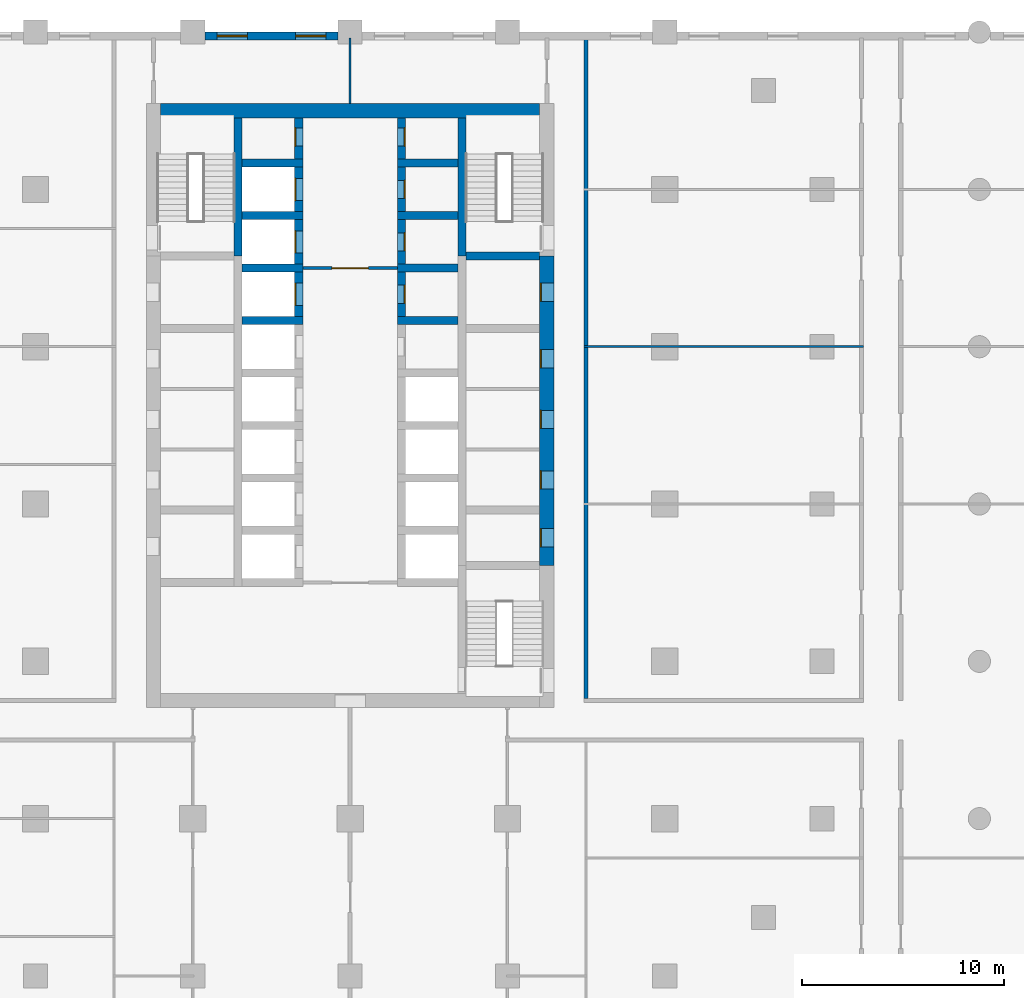
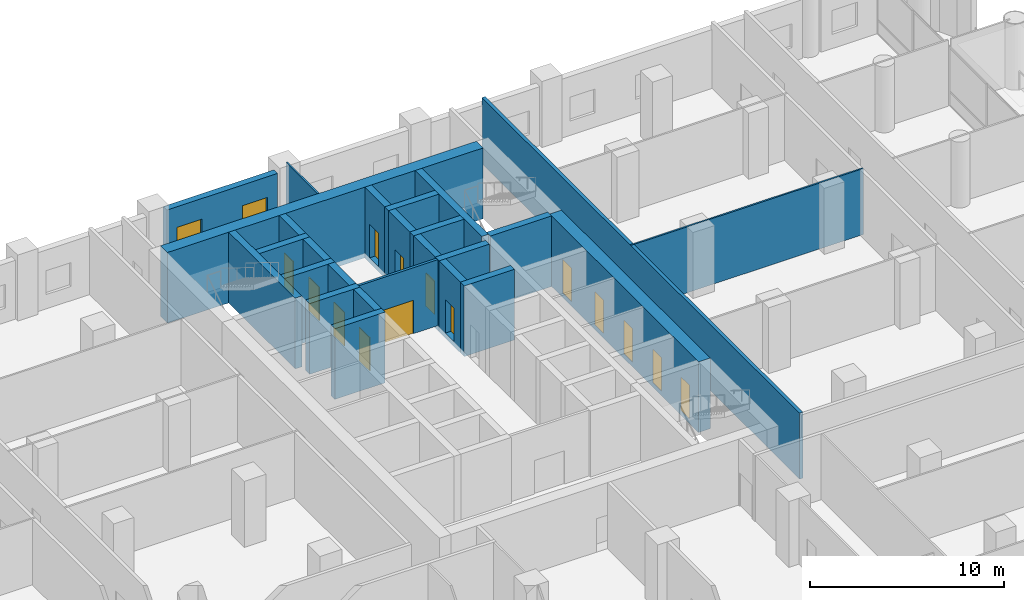
# One storey, part 13 of 23: 26 walls, 14 doors, 2 windows, 16 openings.
"""IFC4 building model written with IfcOpenShell, lengths in metres."""

import ifcopenshell
import ifcopenshell.guid

model = None  # the IFC model being written
_history = None  # IfcOwnerHistory: only IFC2X3 demands one
_inside = {}  # id of a spatial element -> (the spatial element, [elements in it])
_under = {}  # id of a project, library or spatial element -> (it, [spatial elements below it])
_declared = {}  # id of a project -> (the project, [libraries it declares])
_typed = {}  # id of a type object -> (the type object, [elements of that type])
_made_of = {}  # id of a material, layer set ... -> (it, [elements and type objects made of it])


def new_model(schema):
    """Start an empty IFC model of exactly this schema.

    Asked for "IFC4X3", IfcOpenShell would pick the latest addendum, in which some entities
    have other attributes; the version numbers below select the first issue.
    IFC2X3 requires an IfcOwnerHistory on every rooted entity: one is made here for all.
    """
    global model, _history
    if schema == "IFC4X3":
        model = ifcopenshell.file(schema_version=(4, 3, 0, 0))
    else:
        model = ifcopenshell.file(schema=schema)
    _inside.clear()
    _under.clear()
    _declared.clear()
    _typed.clear()
    _made_of.clear()
    _history = None
    if model.schema == "IFC2X3":
        org = make("IfcOrganization", Name="unknown")
        user = make(
            "IfcPersonAndOrganization",
            ThePerson=make("IfcPerson", FamilyName="unknown"),
            TheOrganization=org,
        )
        app = make(
            "IfcApplication",
            ApplicationDeveloper=org,
            Version="unknown",
            ApplicationFullName="unknown",
            ApplicationIdentifier="unknown",
        )
        _history = make(
            "IfcOwnerHistory",
            OwningUser=user,
            OwningApplication=app,
            ChangeAction="ADDED",
            CreationDate=0,
        )
    return model


def make(cls, **values):
    """One entity of the class cls with the attributes given. An attribute that is None is left unset."""
    return model.create_entity(
        cls, **{name: value for name, value in values.items() if value is not None}
    )


def rooted(cls, **values):
    """An entity with a GlobalId (a new one), such as an element, a storey or a relation."""
    return make(cls, GlobalId=ifcopenshell.guid.new(), OwnerHistory=_history, **values)


def si_unit(unit_type, name, prefix=None):
    """IfcSIUnit, for example si_unit("LENGTHUNIT", "METRE", prefix="MILLI")."""
    return make("IfcSIUnit", UnitType=unit_type, Prefix=prefix, Name=name)


def assignment(units):
    """IfcUnitAssignment: the units of a project."""
    return None if units is None else make("IfcUnitAssignment", Units=units)


def point(xyz):
    """IfcCartesianPoint."""
    return None if xyz is None else make("IfcCartesianPoint", Coordinates=xyz)


def direction(xyz):
    """IfcDirection."""
    return None if xyz is None else make("IfcDirection", DirectionRatios=xyz)


def frame(location, z_axis=None, x_axis=None):
    """IfcAxis2Placement3D, a coordinate frame: its origin and axes. An axis left out is left unset."""
    return make(
        "IfcAxis2Placement3D",
        Location=point(location),
        Axis=direction(z_axis),
        RefDirection=direction(x_axis),
    )


def frame_2d(location, x_axis=None):
    """IfcAxis2Placement2D, a coordinate frame in the plane: its origin and x axis."""
    return make(
        "IfcAxis2Placement2D", Location=point(location), RefDirection=direction(x_axis)
    )


def origin():
    """The frame at (0, 0, 0) with its axes left unset."""
    return frame((0.0, 0.0, 0.0))


def place(relative_to, where):
    """IfcLocalPlacement: puts the frame where relative to a parent placement (None: the world)."""
    return make(
        "IfcLocalPlacement", PlacementRelTo=relative_to, RelativePlacement=where
    )


def context(
    kind, dimensions, precision=None, world=None, true_north=None, identifier=None
):
    """IfcGeometricRepresentationContext, for example the 3D "Model" context."""
    return make(
        "IfcGeometricRepresentationContext",
        ContextIdentifier=identifier,
        ContextType=kind,
        CoordinateSpaceDimension=dimensions,
        Precision=precision,
        WorldCoordinateSystem=world,
        TrueNorth=true_north,
    )


def subcontext(parent, identifier, kind, view, scale=None):
    """IfcGeometricRepresentationSubContext, for example "Body" below "Model"."""
    return make(
        "IfcGeometricRepresentationSubContext",
        ContextIdentifier=identifier,
        ContextType=kind,
        ParentContext=parent,
        TargetScale=scale,
        TargetView=view,
    )


def project(units=None, contexts=None):
    """IfcProject with its units and contexts."""
    return rooted(
        "IfcProject",
        Name="project",
        RepresentationContexts=contexts,
        UnitsInContext=assignment(units),
    )


def spatial(cls, under=None, at=None, **own):
    """A site, building, storey or space (cls), placed at a placement, below another one or the project."""
    s = rooted(cls, ObjectPlacement=at, **own)
    if under is not None:
        _under.setdefault(under.id(), (under, []))[1].append(s)
    return s


def profile(cls, at=None, kind="AREA", **sizes):
    """A parametric profile (cls). Its sizes go by their IFC names, for example OverallWidth=200.0."""
    return make(cls, ProfileType=kind, Position=at, **sizes)


def rectangle(**sizes):
    """IfcRectangleProfileDef."""
    return profile("IfcRectangleProfileDef", **sizes)


def extrude(swept, where, along, depth):
    """IfcExtrudedAreaSolid: the profile swept, set in the frame where, extruded along a direction by depth."""
    return make(
        "IfcExtrudedAreaSolid",
        SweptArea=swept,
        Position=where,
        ExtrudedDirection=direction(along),
        Depth=depth,
    )


def shape(context_of_items, identifier, shape_type, items):
    """IfcShapeRepresentation: the items that make up one representation, for example the "Body"."""
    return make(
        "IfcShapeRepresentation",
        ContextOfItems=context_of_items,
        RepresentationIdentifier=identifier,
        RepresentationType=shape_type,
        Items=items,
    )


def material(Name=None, Category=None):
    """IfcMaterial."""
    return make("IfcMaterial", Name=Name, Category=Category)


def layer(
    of_material, thickness, ventilated=None, Name=None, Category=None, Priority=None
):
    """IfcMaterialLayer: one layer of a wall or slab, of a material (None: an air gap)."""
    return make(
        "IfcMaterialLayer",
        Material=of_material,
        LayerThickness=thickness,
        IsVentilated=ventilated,
        Name=Name,
        Category=Category,
        Priority=Priority,
    )


def layer_set(layers, Name=None):
    """IfcMaterialLayerSet."""
    return make("IfcMaterialLayerSet", MaterialLayers=layers, LayerSetName=Name)


def made_of(thing, what):
    """Note that an element or type object is made of a material, layer set ...; save() writes the relation."""
    if what is not None:
        _made_of.setdefault(what.id(), (what, []))[1].append(thing)
    return thing


def type_object(cls, material=None, **own):
    """A type object (cls), such as IfcWallType, which elements share."""
    return made_of(rooted(cls, **own), material)


def element(
    cls,
    number,
    at=None,
    inside=None,
    cuts=None,
    type_object=None,
    material=None,
    context=None,
    identifier="Body",
    shape_type=None,
    held_by="IfcProductDefinitionShape",
    body=None,
    shapes=None,
    **own,
):
    """One element of the class cls, such as IfcWall. Its Tag is "e" and its number.

    at: its placement. inside: the storey or other place that contains it. cuts: it is an
    opening in that element (IfcRelVoidsElement). A single representation is given by context,
    identifier, shape_type and body (its items); several are given by shapes. held_by: the class
    of the entity that holds the representations. save() writes the other relations.
    """
    e = rooted(cls, Tag="e%d" % number, ObjectPlacement=at, **own)
    if body is not None:
        shapes = [shape(context, identifier, shape_type, body)]
    if shapes is not None:
        e.Representation = make(held_by, Representations=shapes)
    if inside is not None:
        _inside.setdefault(inside.id(), (inside, []))[1].append(e)
    if cuts is not None:
        rooted(
            "IfcRelVoidsElement", RelatingBuildingElement=cuts, RelatedOpeningElement=e
        )
    if type_object is not None:
        _typed.setdefault(type_object.id(), (type_object, []))[1].append(e)
    return made_of(e, material)


def fill(opening, filler):
    """IfcRelFillsElement: the door or window that sits in an opening."""
    return rooted(
        "IfcRelFillsElement",
        RelatingOpeningElement=opening,
        RelatedBuildingElement=filler,
    )


def aggregate(whole, parts):
    """IfcRelAggregates: a whole, such as a stair, and the parts it consists of."""
    return rooted("IfcRelAggregates", RelatingObject=whole, RelatedObjects=parts)


def save(model, path):
    """Write the relations noted so far, then the file.

    IfcRelAggregates (storeys below a building ...), IfcRelContainedInSpatialStructure (elements
    in a storey), IfcRelDefinesByType, IfcRelAssociatesMaterial and IfcRelDeclares: one each for
    every whole, place, type object, material and project.
    """
    for whole, parts in _under.values():
        aggregate(whole, parts)
    for where, things in _inside.values():
        rooted(
            "IfcRelContainedInSpatialStructure",
            RelatedElements=things,
            RelatingStructure=where,
        )
    for kind, things in _typed.values():
        rooted("IfcRelDefinesByType", RelatedObjects=things, RelatingType=kind)
    for what, things in _made_of.values():
        rooted("IfcRelAssociatesMaterial", RelatedObjects=things, RelatingMaterial=what)
    for by, libraries in _declared.values():
        rooted("IfcRelDeclares", RelatingContext=by, RelatedDefinitions=libraries)
    model.write(path)


model = new_model("IFC4")

# Units and contexts
model_context = context("Model", 3, precision=1e-05, world=origin(), true_north=direction((0.0, 1.0)))
body_context = subcontext(model_context, "Body", "Model", "MODEL_VIEW")
ifc_project = project(units=[si_unit("LENGTHUNIT", "METRE"), si_unit("AREAUNIT", "SQUARE_METRE"), si_unit("VOLUMEUNIT", "CUBIC_METRE"), si_unit("PLANEANGLEUNIT", "RADIAN"), si_unit("MASSUNIT", "GRAM", prefix="KILO")], contexts=[model_context])

# Site, building, storey
site_placement = place(None, origin())
site = spatial("IfcSite", under=ifc_project, at=site_placement, CompositionType="ELEMENT")
building_placement = place(site_placement, origin())
building = spatial("IfcBuilding", under=site, at=building_placement, Name="Ludao Terraces", CompositionType="ELEMENT")
storey_placement = place(building_placement, frame((0.0, 0.0, 10.5)))
storey = spatial("IfcBuildingStorey", under=building, at=storey_placement, Name="L02", CompositionType="ELEMENT", Elevation=10.5)

# Wall, openings, doors
ifc_material_1 = material(Name="Concrete C70", Category="concrete")
ifc_layer_1 = layer(ifc_material_1, 0.699951171875)
ifc_layer_set_1 = layer_set([ifc_layer_1], Name="Core wall 700 C70")
wall_type_1 = type_object("IfcWallType", Name="Core wall 700 C70", PredefinedType="SOLIDWALL", material=ifc_layer_set_1)
wall_1_placement = place(storey_placement, frame((94.75, 61.949951171875, -0.300048828125), z_axis=(0.0, 0.0, 1.0), x_axis=(0.0, 1.0, 0.0)))
wall_1 = element("IfcWall", 1, at=wall_1_placement, inside=storey, type_object=wall_type_1, Name="Core wall L02 outer-E", PredefinedType="SOLIDWALL", context=body_context, shape_type="SweptSolid", body=[
    extrude(rectangle(XDim=15.35009765625, YDim=0.699951171875, at=frame_2d((7.675048828125, 0.0))), origin(), (0.0, 0.0, 1.0), 4.449951171875),
])
opening_1_placement = place(wall_1_placement, frame((0.925048828125, 0.0, 0.300048828125)))
opening_1 = element("IfcOpeningElement", 2, at=opening_1_placement, cuts=wall_1, Name="Opening L02-037", PredefinedType="OPENING", context=body_context, shape_type="SweptSolid", body=[
    extrude(rectangle(XDim=0.89990234375, YDim=2.10009765625, at=frame_2d((0.449951171875, 1.050048828125))), frame((0.0, 0.35986328125, 0.0), z_axis=(0.0, -1.0, 0.0), x_axis=(1.0, 0.0, 0.0)), (0.0, 0.0, 1.0), 0.719970703125),
])
opening_2_placement = place(wall_1_placement, frame((3.800048828125, 0.0, 0.300048828125)))
opening_2 = element("IfcOpeningElement", 3, at=opening_2_placement, cuts=wall_1, Name="Opening L02-040", PredefinedType="OPENING", context=body_context, shape_type="SweptSolid", body=[
    extrude(rectangle(XDim=0.89990234375, YDim=2.10009765625, at=frame_2d((0.449951171875, 1.050048828125))), frame((0.0, 0.35986328125, 0.0), z_axis=(0.0, -1.0, 0.0), x_axis=(1.0, 0.0, 0.0)), (0.0, 0.0, 1.0), 0.719970703125),
])
opening_3_placement = place(wall_1_placement, frame((6.800048828125, 0.0, 0.300048828125)))
opening_3 = element("IfcOpeningElement", 4, at=opening_3_placement, cuts=wall_1, Name="Opening L02-045", PredefinedType="OPENING", context=body_context, shape_type="SweptSolid", body=[
    extrude(rectangle(XDim=0.89990234375, YDim=2.10009765625, at=frame_2d((0.449951171875, 1.050048828125))), frame((0.0, 0.35986328125, 0.0), z_axis=(0.0, -1.0, 0.0), x_axis=(1.0, 0.0, 0.0)), (0.0, 0.0, 1.0), 0.719970703125),
])
opening_4_placement = place(wall_1_placement, frame((9.800048828125, 0.0, 0.300048828125)))
opening_4 = element("IfcOpeningElement", 5, at=opening_4_placement, cuts=wall_1, Name="Opening L02-050", PredefinedType="OPENING", context=body_context, shape_type="SweptSolid", body=[
    extrude(rectangle(XDim=0.89990234375, YDim=2.10009765625, at=frame_2d((0.449951171875, 1.050048828125))), frame((0.0, 0.35986328125, 0.0), z_axis=(0.0, -1.0, 0.0), x_axis=(1.0, 0.0, 0.0)), (0.0, 0.0, 1.0), 0.719970703125),
])
opening_5_placement = place(wall_1_placement, frame((13.10009765625, 0.0, 0.300048828125)))
opening_5 = element("IfcOpeningElement", 6, at=opening_5_placement, cuts=wall_1, Name="Opening L02-056", PredefinedType="OPENING", context=body_context, shape_type="SweptSolid", body=[
    extrude(rectangle(XDim=0.89990234375, YDim=2.10009765625, at=frame_2d((0.449951171875, 1.050048828125))), frame((0.0, 0.35986328125, 0.0), z_axis=(0.0, -1.0, 0.0), x_axis=(1.0, 0.0, 0.0)), (0.0, 0.0, 1.0), 0.719970703125),
])
ifc_material_2 = material(Name="Steel Q235", Category="steel")
door_type_1 = type_object("IfcDoorType", Name="INT Riser door 900", OperationType="SINGLE_SWING_LEFT", PredefinedType="DOOR", material=ifc_material_2)
door_1_placement = place(opening_1_placement, origin())
door_1 = element("IfcDoor", 7, at=door_1_placement, inside=storey, type_object=door_type_1, Name="DOOR 037", OperationType="SINGLE_SWING_LEFT", OverallHeight=2.10009765625, OverallWidth=0.89990234375, PredefinedType="DOOR", context=body_context, shape_type="SweptSolid", body=[
    extrude(rectangle(XDim=0.89990234375, YDim=2.10009765625, at=frame_2d((0.449951171875, 1.050048828125))), frame((0.0, 0.3349609375, 0.0), z_axis=(0.0, -1.0, 0.0), x_axis=(1.0, 0.0, 0.0)), (0.0, 0.0, 1.0), 0.050048828125),
])
fill(opening_1, door_1)
door_2_placement = place(opening_5_placement, origin())
door_2 = element("IfcDoor", 8, at=door_2_placement, inside=storey, type_object=door_type_1, Name="DOOR 056", OperationType="SINGLE_SWING_LEFT", OverallHeight=2.10009765625, OverallWidth=0.89990234375, PredefinedType="DOOR", context=body_context, shape_type="SweptSolid", body=[
    extrude(rectangle(XDim=0.89990234375, YDim=2.10009765625, at=frame_2d((0.449951171875, 1.050048828125))), frame((0.0, 0.3349609375, 0.0), z_axis=(0.0, -1.0, 0.0), x_axis=(1.0, 0.0, 0.0)), (0.0, 0.0, 1.0), 0.050048828125),
])
fill(opening_5, door_2)
ifc_material_3 = material(Name="Timber door leaf", Category="wood")
door_type_2 = type_object("IfcDoorType", Name="INT Room door 900", OperationType="SINGLE_SWING_LEFT", PredefinedType="DOOR", material=ifc_material_3)
door_3_placement = place(opening_2_placement, origin())
door_3 = element("IfcDoor", 9, at=door_3_placement, inside=storey, type_object=door_type_2, Name="DOOR 040", OperationType="SINGLE_SWING_LEFT", OverallHeight=2.10009765625, OverallWidth=0.89990234375, PredefinedType="DOOR", context=body_context, shape_type="SweptSolid", body=[
    extrude(rectangle(XDim=0.89990234375, YDim=2.10009765625, at=frame_2d((0.449951171875, 1.050048828125))), frame((0.0, 0.3349609375, 0.0), z_axis=(0.0, -1.0, 0.0), x_axis=(1.0, 0.0, 0.0)), (0.0, 0.0, 1.0), 0.050048828125),
])
fill(opening_2, door_3)
door_4_placement = place(opening_3_placement, origin())
door_4 = element("IfcDoor", 10, at=door_4_placement, inside=storey, type_object=door_type_2, Name="DOOR 045", OperationType="SINGLE_SWING_RIGHT", OverallHeight=2.10009765625, OverallWidth=0.89990234375, PredefinedType="DOOR", context=body_context, shape_type="SweptSolid", body=[
    extrude(rectangle(XDim=0.89990234375, YDim=2.10009765625, at=frame_2d((0.449951171875, 1.050048828125))), frame((0.0, 0.3349609375, 0.0), z_axis=(0.0, -1.0, 0.0), x_axis=(1.0, 0.0, 0.0)), (0.0, 0.0, 1.0), 0.050048828125),
])
fill(opening_3, door_4)
door_5_placement = place(opening_4_placement, origin())
door_5 = element("IfcDoor", 11, at=door_5_placement, inside=storey, type_object=door_type_2, Name="DOOR 050", OperationType="SINGLE_SWING_RIGHT", OverallHeight=2.10009765625, OverallWidth=0.89990234375, PredefinedType="DOOR", context=body_context, shape_type="SweptSolid", body=[
    extrude(rectangle(XDim=0.89990234375, YDim=2.10009765625, at=frame_2d((0.449951171875, 1.050048828125))), frame((0.0, 0.3349609375, 0.0), z_axis=(0.0, -1.0, 0.0), x_axis=(1.0, 0.0, 0.0)), (0.0, 0.0, 1.0), 0.050048828125),
])
fill(opening_4, door_5)

# Wall
wall_2_placement = place(storey_placement, frame((75.60009765625, 84.5, -0.300048828125), z_axis=(0.0, 0.0, 1.0), x_axis=(1.0, 0.0, 0.0)))
element("IfcWall", 12, at=wall_2_placement, inside=storey, type_object=wall_type_1, Name="Core wall L02 outer-N", PredefinedType="SOLIDWALL", context=body_context, shape_type="SweptSolid", body=[
    extrude(rectangle(XDim=18.7998046875, YDim=0.699951171875, at=frame_2d((9.39990234375, 0.0))), origin(), (0.0, 0.0, 1.0), 4.449951171875),
])

# Wall, openings, windows
ifc_material_4 = material(Name="Granite cladding", Category="masonry")
ifc_layer_2 = layer(ifc_material_4, 0.06005859375, Category="stone")
ifc_material_5 = material(Name="Mineral wool")
ifc_layer_3 = layer(ifc_material_5, 0.06005859375)
ifc_material_6 = material(Name="Concrete C40", Category="concrete")
ifc_layer_4 = layer(ifc_material_6, 0.260009765625, Category="concrete")
ifc_layer_set_2 = layer_set([ifc_layer_2, ifc_layer_3, ifc_layer_4], Name="ENV Stone-clad wall 380")
wall_type_2 = type_object("IfcWallType", Name="ENV Stone-clad wall 380", PredefinedType="SOLIDWALL", material=ifc_layer_set_2)
wall_3_placement = place(storey_placement, frame((77.800048828125, 88.2099609375, 0.0), z_axis=(0.0, 0.0, 1.0), x_axis=(1.0, 0.0, 0.0)))
wall_3 = element("IfcWall", 13, at=wall_3_placement, inside=storey, type_object=wall_type_2, Name="EW-L02-N4", PredefinedType="SOLIDWALL", context=body_context, shape_type="SweptSolid", body=[
    extrude(rectangle(XDim=6.599853515625, YDim=0.3798828125, at=frame_2d((3.2998046875, 0.0))), origin(), (0.0, 0.0, 1.0), 3.699951171875),
])
opening_6_placement = place(wall_3_placement, frame((0.60009765625, 0.0, 0.89990234375)))
opening_6 = element("IfcOpeningElement", 14, at=opening_6_placement, cuts=wall_3, Name="Opening W5", PredefinedType="OPENING", context=body_context, shape_type="SweptSolid", body=[
    extrude(rectangle(XDim=1.5, YDim=1.5, at=frame_2d((0.75, 0.75))), frame((0.0, 0.199951171875, 0.0), z_axis=(0.0, -1.0, 0.0), x_axis=(1.0, 0.0, 0.0)), (0.0, 0.0, 1.0), 0.39990234375),
])
opening_7_placement = place(wall_3_placement, frame((4.5, 0.0, 0.89990234375)))
opening_7 = element("IfcOpeningElement", 15, at=opening_7_placement, cuts=wall_3, Name="Opening W5", PredefinedType="OPENING", context=body_context, shape_type="SweptSolid", body=[
    extrude(rectangle(XDim=1.5, YDim=1.5, at=frame_2d((0.75, 0.75))), frame((0.0, 0.199951171875, 0.0), z_axis=(0.0, -1.0, 0.0), x_axis=(1.0, 0.0, 0.0)), (0.0, 0.0, 1.0), 0.39990234375),
])
ifc_material_7 = material(Name="Clear glass in aluminium frame", Category="aluminium")
ifc_layer_5 = layer(ifc_material_7, 0.06005859375)
ifc_layer_set_3 = layer_set([ifc_layer_5], Name="ENV Window W5 1500x1500")
window_type = type_object("IfcWindowType", Name="ENV Window W5 1500x1500", PartitioningType="SINGLE_PANEL", PredefinedType="WINDOW", material=ifc_layer_set_3)
window_1_placement = place(opening_6_placement, origin())
window_1 = element("IfcWindow", 16, at=window_1_placement, inside=storey, type_object=window_type, Name="W-L02-N4-1", OverallHeight=1.5, OverallWidth=1.5, PartitioningType="SINGLE_PANEL", PredefinedType="WINDOW", context=body_context, shape_type="SweptSolid", body=[
    extrude(rectangle(XDim=1.5, YDim=1.5, at=frame_2d((0.75, 0.75))), frame((0.0, 0.030029296875, 0.0), z_axis=(0.0, -1.0, 0.0), x_axis=(1.0, 0.0, 0.0)), (0.0, 0.0, 1.0), 0.06005859375),
])
fill(opening_6, window_1)
window_2_placement = place(opening_7_placement, origin())
window_2 = element("IfcWindow", 17, at=window_2_placement, inside=storey, type_object=window_type, Name="W-L02-N4-2", OverallHeight=1.5, OverallWidth=1.5, PartitioningType="SINGLE_PANEL", PredefinedType="WINDOW", context=body_context, shape_type="SweptSolid", body=[
    extrude(rectangle(XDim=1.5, YDim=1.5, at=frame_2d((0.75, 0.75))), frame((0.0, 0.030029296875, 0.0), z_axis=(0.0, -1.0, 0.0), x_axis=(1.0, 0.0, 0.0)), (0.0, 0.0, 1.0), 0.06005859375),
])
fill(opening_7, window_2)

# Wall, opening, door
ifc_material_8 = material(Name="Fire-rated gypsum plasterboard", Category="gypsum")
ifc_layer_6 = layer(ifc_material_8, 0.012451171875, Category="gypsum")
ifc_layer_7 = layer(ifc_material_5, 0.10009765625, Name="insulation")
ifc_layer_8 = layer(ifc_material_2, 0.02490234375, Name="stud")
ifc_layer_9 = layer(ifc_material_8, 0.012451171875, Category="gypsum")
ifc_layer_set_4 = layer_set([ifc_layer_6, ifc_layer_7, ifc_layer_8, ifc_layer_9], Name="INT Core partition 150")
wall_type_3 = type_object("IfcWallType", Name="INT Core partition 150", PredefinedType="PARTITIONING", material=ifc_layer_set_4)
wall_4_placement = place(storey_placement, frame((82.650146484375, 76.699951171875, 0.0), z_axis=(0.0, 0.0, 1.0), x_axis=(1.0, 0.0, 0.0)))
wall_4 = element("IfcWall", 18, at=wall_4_placement, inside=storey, type_object=wall_type_3, Name="PW-L02-PW042", PredefinedType="PARTITIONING", context=body_context, shape_type="SweptSolid", body=[
    extrude(rectangle(XDim=4.699951171875, YDim=0.14990234375, at=frame_2d((2.35009765625, 0.0))), origin(), (0.0, 0.0, 1.0), 4.14990234375),
])
opening_8_placement = place(wall_4_placement, frame((1.449951171875, 0.0, 0.0)))
opening_8 = element("IfcOpeningElement", 19, at=opening_8_placement, cuts=wall_4, Name="Opening L02-059", PredefinedType="OPENING", context=body_context, shape_type="SweptSolid", body=[
    extrude(rectangle(XDim=1.800048828125, YDim=2.10009765625, at=frame_2d((0.89990234375, 1.050048828125))), frame((0.0, 0.0849609375, 0.0), z_axis=(0.0, -1.0, 0.0), x_axis=(1.0, 0.0, 0.0)), (0.0, 0.0, 1.0), 0.169921875),
])
door_type_3 = type_object("IfcDoorType", Name="INT Fire lobby door 1800", OperationType="DOUBLE_DOOR_SINGLE_SWING", PredefinedType="DOOR", material=ifc_material_2)
door_6_placement = place(opening_8_placement, origin())
door_6 = element("IfcDoor", 20, at=door_6_placement, inside=storey, type_object=door_type_3, Name="DOOR 059", OperationType="DOUBLE_DOOR_SINGLE_SWING", OverallHeight=2.10009765625, OverallWidth=1.800048828125, PredefinedType="DOOR", context=body_context, shape_type="SweptSolid", body=[
    extrude(rectangle(XDim=1.800048828125, YDim=2.10009765625, at=frame_2d((0.89990234375, 1.050048828125))), frame((0.0, 0.02490234375, 0.0), z_axis=(0.0, -1.0, 0.0), x_axis=(1.0, 0.0, 0.0)), (0.0, 0.0, 1.0), 0.050048828125),
])
fill(opening_8, door_6)

# Walls
ifc_material_9 = material(Name="Autoclaved aerated concrete block B06 A3.5", Category="concrete")
ifc_layer_10 = layer(ifc_material_9, 0.199951171875)
ifc_layer_set_5 = layer_set([ifc_layer_10], Name="INT Entrance wall 200")
wall_type_4 = type_object("IfcWallType", Name="INT Entrance wall 200", PredefinedType="PARTITIONING", material=ifc_layer_set_5)
wall_5_placement = place(storey_placement, frame((96.699951171875, 55.35009765625, 0.0), z_axis=(0.0, 0.0, 1.0), x_axis=(0.0, 1.0, 0.0)))
element("IfcWall", 21, at=wall_5_placement, inside=storey, type_object=wall_type_4, Name="PW-L02-PW069", PredefinedType="PARTITIONING", context=body_context, shape_type="SweptSolid", body=[
    extrude(rectangle(XDim=32.75, YDim=0.199951171875, at=frame_2d((16.375, 0.0))), origin(), (0.0, 0.0, 1.0), 4.14990234375),
])
ifc_material_10 = material(Name="Gypsum plasterboard", Category="gypsum")
ifc_layer_11 = layer(ifc_material_10, 0.012451171875, Category="gypsum")
ifc_layer_12 = layer(ifc_material_5, 0.06005859375, Name="insulation")
ifc_layer_13 = layer(ifc_material_2, 0.014892578125, Name="stud")
ifc_layer_14 = layer(ifc_material_10, 0.012451171875, Category="gypsum")
ifc_layer_set_6 = layer_set([ifc_layer_11, ifc_layer_12, ifc_layer_13, ifc_layer_14], Name="INT Partition 100")
wall_type_5 = type_object("IfcWallType", Name="INT Partition 100", PredefinedType="PARTITIONING", material=ifc_layer_set_6)
wall_6_placement = place(storey_placement, frame((96.60009765625, 72.800048828125, 0.0), z_axis=(0.0, 0.0, 1.0), x_axis=(1.0, 0.0, 0.0)))
element("IfcWall", 22, at=wall_6_placement, inside=storey, type_object=wall_type_5, Name="PW-L02-PW039", PredefinedType="PARTITIONING", context=body_context, shape_type="SweptSolid", body=[
    extrude(rectangle(XDim=13.85009765625, YDim=0.10009765625, at=frame_2d((6.925048828125, 0.0))), origin(), (0.0, 0.0, 1.0), 4.14990234375),
])
wall_7_placement = place(storey_placement, frame((85.0, 84.85009765625, 0.0), z_axis=(0.0, 0.0, 1.0), x_axis=(0.0, 1.0, 0.0)))
element("IfcWall", 23, at=wall_7_placement, inside=storey, type_object=wall_type_5, Name="PW-L02-PW062", PredefinedType="PARTITIONING", context=body_context, shape_type="SweptSolid", body=[
    extrude(rectangle(XDim=3.25, YDim=0.10009765625, at=frame_2d((1.625, 0.0))), origin(), (0.0, 0.0, 1.0), 4.14990234375),
])
ifc_material_11 = material(Name="Concrete C60", Category="concrete")
ifc_layer_15 = layer(ifc_material_11, 0.39990234375)
ifc_layer_set_7 = layer_set([ifc_layer_15], Name="Shaft wall 400 C60")
wall_type_6 = type_object("IfcWallType", Name="Shaft wall 400 C60", PredefinedType="SOLIDWALL", material=ifc_layer_set_7)
for number, where, z_axis, x_axis, name in (
    (24, (79.449951171875, 77.300048828125, -0.300048828125), (0.0, 0.0, 1.0), (0.0, 1.0, 0.0), "Core wall L02 back-W-S1"),
    (25, (90.550048828125, 77.300048828125, -0.300048828125), (0.0, 0.0, 1.0), (0.0, 1.0, 0.0), "Core wall L02 back-E-S2"),
):
    element("IfcWall", number, at=place(storey_placement, frame(where, z_axis=z_axis, x_axis=x_axis)), inside=storey, type_object=wall_type_6, Name=name, PredefinedType="SOLIDWALL", context=body_context, shape_type="SweptSolid", body=[
        extrude(rectangle(XDim=6.849853515625, YDim=0.39990234375, at=frame_2d((3.4248046875, 0.0))), origin(), (0.0, 0.0, 1.0), 4.449951171875),
    ])
wall_8_placement = place(storey_placement, frame((79.64990234375, 74.10009765625, -0.300048828125), z_axis=(0.0, 0.0, 1.0), x_axis=(1.0, 0.0, 0.0)))
element("IfcWall", 26, at=wall_8_placement, inside=storey, type_object=wall_type_6, Name="Core wall L02 div-W6", PredefinedType="SOLIDWALL", context=body_context, shape_type="SweptSolid", body=[
    extrude(rectangle(XDim=3.0, YDim=0.39990234375, at=frame_2d((1.5, 0.0))), origin(), (0.0, 0.0, 1.0), 4.449951171875),
])

# Wall, opening, door
wall_9_placement = place(storey_placement, frame((82.449951171875, 74.300048828125, -0.300048828125), z_axis=(0.0, 0.0, 1.0), x_axis=(0.0, 1.0, 0.0)))
wall_9 = element("IfcWall", 27, at=wall_9_placement, inside=storey, type_object=wall_type_6, Name="Core wall L02 front-W6", PredefinedType="SOLIDWALL", context=body_context, shape_type="SweptSolid", body=[
    extrude(rectangle(XDim=2.199951171875, YDim=0.39990234375, at=frame_2d((1.10009765625, 0.0))), origin(), (0.0, 0.0, 1.0), 4.449951171875),
])
opening_9_placement = place(wall_9_placement, frame((0.550048828125, 0.0, 0.300048828125)))
opening_9 = element("IfcOpeningElement", 28, at=opening_9_placement, cuts=wall_9, Name="Opening LD-LA6", PredefinedType="OPENING", context=body_context, shape_type="SweptSolid", body=[
    extrude(rectangle(XDim=1.10009765625, YDim=2.10009765625, at=frame_2d((0.550048828125, 1.050048828125))), frame((0.0, 0.2099609375, 0.0), z_axis=(0.0, -1.0, 0.0), x_axis=(1.0, 0.0, 0.0)), (0.0, 0.0, 1.0), 0.419921875),
])
ifc_material_12 = material(Name="Stainless steel 304", Category="steel")
door_type_4 = type_object("IfcDoorType", Name="INT Lift landing door 1100", OperationType="SLIDING_TO_LEFT", PredefinedType="DOOR", material=ifc_material_12)
door_7_placement = place(opening_9_placement, origin())
door_7 = element("IfcDoor", 29, at=door_7_placement, inside=storey, type_object=door_type_4, Name="LANDING DOOR LA6 L02", OperationType="SLIDING_TO_LEFT", OverallHeight=2.10009765625, OverallWidth=1.10009765625, PredefinedType="DOOR", context=body_context, shape_type="SweptSolid", body=[
    extrude(rectangle(XDim=1.10009765625, YDim=2.10009765625, at=frame_2d((0.550048828125, 1.050048828125))), frame((0.0, 0.18505859375, 0.0), z_axis=(0.0, -1.0, 0.0), x_axis=(1.0, 0.0, 0.0)), (0.0, 0.0, 1.0), 0.050048828125),
])
fill(opening_9, door_7)

# Wall
wall_10_placement = place(storey_placement, frame((79.64990234375, 76.699951171875, -0.300048828125), z_axis=(0.0, 0.0, 1.0), x_axis=(1.0, 0.0, 0.0)))
element("IfcWall", 30, at=wall_10_placement, inside=storey, type_object=wall_type_6, Name="Core wall L02 div-W7", PredefinedType="SOLIDWALL", context=body_context, shape_type="SweptSolid", body=[
    extrude(rectangle(XDim=3.0, YDim=0.39990234375, at=frame_2d((1.5, 0.0))), origin(), (0.0, 0.0, 1.0), 4.449951171875),
])

# Wall, opening, door
wall_11_placement = place(storey_placement, frame((82.449951171875, 76.89990234375, -0.300048828125), z_axis=(0.0, 0.0, 1.0), x_axis=(0.0, 1.0, 0.0)))
wall_11 = element("IfcWall", 31, at=wall_11_placement, inside=storey, type_object=wall_type_6, Name="Core wall L02 front-W7", PredefinedType="SOLIDWALL", context=body_context, shape_type="SweptSolid", body=[
    extrude(rectangle(XDim=2.2001953125, YDim=0.39990234375, at=frame_2d((1.10009765625, 0.0))), origin(), (0.0, 0.0, 1.0), 4.449951171875),
])
opening_10_placement = place(wall_11_placement, frame((0.550048828125, 0.0, 0.300048828125)))
opening_10 = element("IfcOpeningElement", 32, at=opening_10_placement, cuts=wall_11, Name="Opening LD-FF1", PredefinedType="OPENING", context=body_context, shape_type="SweptSolid", body=[
    extrude(rectangle(XDim=1.10009765625, YDim=2.10009765625, at=frame_2d((0.550048828125, 1.050048828125))), frame((0.0, 0.2099609375, 0.0), z_axis=(0.0, -1.0, 0.0), x_axis=(1.0, 0.0, 0.0)), (0.0, 0.0, 1.0), 0.419921875),
])
door_8_placement = place(opening_10_placement, origin())
door_8 = element("IfcDoor", 33, at=door_8_placement, inside=storey, type_object=door_type_4, Name="LANDING DOOR FF1 L02", OperationType="SLIDING_TO_LEFT", OverallHeight=2.10009765625, OverallWidth=1.10009765625, PredefinedType="DOOR", context=body_context, shape_type="SweptSolid", body=[
    extrude(rectangle(XDim=1.10009765625, YDim=2.10009765625, at=frame_2d((0.550048828125, 1.050048828125))), frame((0.0, 0.18505859375, 0.0), z_axis=(0.0, -1.0, 0.0), x_axis=(1.0, 0.0, 0.0)), (0.0, 0.0, 1.0), 0.050048828125),
])
fill(opening_10, door_8)

# Wall
wall_12_placement = place(storey_placement, frame((79.64990234375, 79.300048828125, -0.300048828125), z_axis=(0.0, 0.0, 1.0), x_axis=(1.0, 0.0, 0.0)))
element("IfcWall", 34, at=wall_12_placement, inside=storey, type_object=wall_type_6, Name="Core wall L02 div-W8", PredefinedType="SOLIDWALL", context=body_context, shape_type="SweptSolid", body=[
    extrude(rectangle(XDim=3.0, YDim=0.39990234375, at=frame_2d((1.5, 0.0))), origin(), (0.0, 0.0, 1.0), 4.449951171875),
])

# Wall, opening, door
wall_13_placement = place(storey_placement, frame((82.449951171875, 79.5, -0.300048828125), z_axis=(0.0, 0.0, 1.0), x_axis=(0.0, 1.0, 0.0)))
wall_13 = element("IfcWall", 35, at=wall_13_placement, inside=storey, type_object=wall_type_6, Name="Core wall L02 front-W8", PredefinedType="SOLIDWALL", context=body_context, shape_type="SweptSolid", body=[
    extrude(rectangle(XDim=2.199951171875, YDim=0.39990234375, at=frame_2d((1.10009765625, 0.0))), origin(), (0.0, 0.0, 1.0), 4.449951171875),
])
opening_11_placement = place(wall_13_placement, frame((0.550048828125, 0.0, 0.300048828125)))
opening_11 = element("IfcOpeningElement", 36, at=opening_11_placement, cuts=wall_13, Name="Opening LD-FF2", PredefinedType="OPENING", context=body_context, shape_type="SweptSolid", body=[
    extrude(rectangle(XDim=1.10009765625, YDim=2.10009765625, at=frame_2d((0.550048828125, 1.050048828125))), frame((0.0, 0.2099609375, 0.0), z_axis=(0.0, -1.0, 0.0), x_axis=(1.0, 0.0, 0.0)), (0.0, 0.0, 1.0), 0.419921875),
])
door_9_placement = place(opening_11_placement, origin())
door_9 = element("IfcDoor", 37, at=door_9_placement, inside=storey, type_object=door_type_4, Name="LANDING DOOR FF2 L02", OperationType="SLIDING_TO_LEFT", OverallHeight=2.10009765625, OverallWidth=1.10009765625, PredefinedType="DOOR", context=body_context, shape_type="SweptSolid", body=[
    extrude(rectangle(XDim=1.10009765625, YDim=2.10009765625, at=frame_2d((0.550048828125, 1.050048828125))), frame((0.0, 0.18505859375, 0.0), z_axis=(0.0, -1.0, 0.0), x_axis=(1.0, 0.0, 0.0)), (0.0, 0.0, 1.0), 0.050048828125),
])
fill(opening_11, door_9)

# Wall
wall_14_placement = place(storey_placement, frame((79.64990234375, 81.89990234375, -0.300048828125), z_axis=(0.0, 0.0, 1.0), x_axis=(1.0, 0.0, 0.0)))
element("IfcWall", 38, at=wall_14_placement, inside=storey, type_object=wall_type_6, Name="Core wall L02 div-W9", PredefinedType="SOLIDWALL", context=body_context, shape_type="SweptSolid", body=[
    extrude(rectangle(XDim=3.0, YDim=0.39990234375, at=frame_2d((1.5, 0.0))), origin(), (0.0, 0.0, 1.0), 4.449951171875),
])

# Wall, opening, door
wall_15_placement = place(storey_placement, frame((82.449951171875, 82.10009765625, -0.300048828125), z_axis=(0.0, 0.0, 1.0), x_axis=(0.0, 1.0, 0.0)))
wall_15 = element("IfcWall", 39, at=wall_15_placement, inside=storey, type_object=wall_type_6, Name="Core wall L02 front-W9", PredefinedType="SOLIDWALL", context=body_context, shape_type="SweptSolid", body=[
    extrude(rectangle(XDim=2.0498046875, YDim=0.39990234375, at=frame_2d((1.02490234375, 0.0))), origin(), (0.0, 0.0, 1.0), 4.449951171875),
])
opening_12_placement = place(wall_15_placement, frame((0.64990234375, 0.0, 0.300048828125)))
opening_12 = element("IfcOpeningElement", 40, at=opening_12_placement, cuts=wall_15, Name="Opening L02-068", PredefinedType="OPENING", context=body_context, shape_type="SweptSolid", body=[
    extrude(rectangle(XDim=0.89990234375, YDim=2.10009765625, at=frame_2d((0.449951171875, 1.050048828125))), frame((0.0, 0.2099609375, 0.0), z_axis=(0.0, -1.0, 0.0), x_axis=(1.0, 0.0, 0.0)), (0.0, 0.0, 1.0), 0.419921875),
])
door_10_placement = place(opening_12_placement, origin())
door_10 = element("IfcDoor", 41, at=door_10_placement, inside=storey, type_object=door_type_2, Name="DOOR 068", OperationType="SINGLE_SWING_RIGHT", OverallHeight=2.10009765625, OverallWidth=0.89990234375, PredefinedType="DOOR", context=body_context, shape_type="SweptSolid", body=[
    extrude(rectangle(XDim=0.89990234375, YDim=2.10009765625, at=frame_2d((0.449951171875, 1.050048828125))), frame((0.0, 0.18505859375, 0.0), z_axis=(0.0, -1.0, 0.0), x_axis=(1.0, 0.0, 0.0)), (0.0, 0.0, 1.0), 0.050048828125),
])
fill(opening_12, door_10)

# Wall
wall_16_placement = place(storey_placement, frame((87.35009765625, 74.10009765625, -0.300048828125), z_axis=(0.0, 0.0, 1.0), x_axis=(1.0, 0.0, 0.0)))
element("IfcWall", 42, at=wall_16_placement, inside=storey, type_object=wall_type_6, Name="Core wall L02 div-E6", PredefinedType="SOLIDWALL", context=body_context, shape_type="SweptSolid", body=[
    extrude(rectangle(XDim=3.0, YDim=0.39990234375, at=frame_2d((1.5, 0.0))), origin(), (0.0, 0.0, 1.0), 4.449951171875),
])

# Wall, opening, door
wall_17_placement = place(storey_placement, frame((87.550048828125, 74.300048828125, -0.300048828125), z_axis=(0.0, 0.0, 1.0), x_axis=(0.0, 1.0, 0.0)))
wall_17 = element("IfcWall", 43, at=wall_17_placement, inside=storey, type_object=wall_type_6, Name="Core wall L02 front-E6", PredefinedType="SOLIDWALL", context=body_context, shape_type="SweptSolid", body=[
    extrude(rectangle(XDim=2.199951171875, YDim=0.39990234375, at=frame_2d((1.10009765625, 0.0))), origin(), (0.0, 0.0, 1.0), 4.449951171875),
])
opening_13_placement = place(wall_17_placement, frame((0.64990234375, 0.0, 0.300048828125)))
opening_13 = element("IfcOpeningElement", 44, at=opening_13_placement, cuts=wall_17, Name="Opening L02-054", PredefinedType="OPENING", context=body_context, shape_type="SweptSolid", body=[
    extrude(rectangle(XDim=0.89990234375, YDim=2.10009765625, at=frame_2d((0.449951171875, 1.050048828125))), frame((0.0, 0.2099609375, 0.0), z_axis=(0.0, -1.0, 0.0), x_axis=(1.0, 0.0, 0.0)), (0.0, 0.0, 1.0), 0.419921875),
])
door_11_placement = place(opening_13_placement, origin())
door_11 = element("IfcDoor", 45, at=door_11_placement, inside=storey, type_object=door_type_2, Name="DOOR 054", OperationType="SINGLE_SWING_LEFT", OverallHeight=2.10009765625, OverallWidth=0.89990234375, PredefinedType="DOOR", context=body_context, shape_type="SweptSolid", body=[
    extrude(rectangle(XDim=0.89990234375, YDim=2.10009765625, at=frame_2d((0.449951171875, 1.050048828125))), frame((0.0, -0.134765625, 0.0), z_axis=(0.0, -1.0, 0.0), x_axis=(1.0, 0.0, 0.0)), (0.0, 0.0, 1.0), 0.050048828125),
])
fill(opening_13, door_11)

# Wall
wall_18_placement = place(storey_placement, frame((87.35009765625, 76.699951171875, -0.300048828125), z_axis=(0.0, 0.0, 1.0), x_axis=(1.0, 0.0, 0.0)))
element("IfcWall", 46, at=wall_18_placement, inside=storey, type_object=wall_type_6, Name="Core wall L02 div-E7", PredefinedType="SOLIDWALL", context=body_context, shape_type="SweptSolid", body=[
    extrude(rectangle(XDim=3.0, YDim=0.39990234375, at=frame_2d((1.5, 0.0))), origin(), (0.0, 0.0, 1.0), 4.449951171875),
])

# Wall, opening, door
wall_19_placement = place(storey_placement, frame((87.550048828125, 76.89990234375, -0.300048828125), z_axis=(0.0, 0.0, 1.0), x_axis=(0.0, 1.0, 0.0)))
wall_19 = element("IfcWall", 47, at=wall_19_placement, inside=storey, type_object=wall_type_6, Name="Core wall L02 front-E7", PredefinedType="SOLIDWALL", context=body_context, shape_type="SweptSolid", body=[
    extrude(rectangle(XDim=2.2001953125, YDim=0.39990234375, at=frame_2d((1.10009765625, 0.0))), origin(), (0.0, 0.0, 1.0), 4.449951171875),
])
opening_14_placement = place(wall_19_placement, frame((0.64990234375, 0.0, 0.300048828125)))
opening_14 = element("IfcOpeningElement", 48, at=opening_14_placement, cuts=wall_19, Name="Opening L02-063", PredefinedType="OPENING", context=body_context, shape_type="SweptSolid", body=[
    extrude(rectangle(XDim=0.89990234375, YDim=2.10009765625, at=frame_2d((0.449951171875, 1.050048828125))), frame((0.0, 0.2099609375, 0.0), z_axis=(0.0, -1.0, 0.0), x_axis=(1.0, 0.0, 0.0)), (0.0, 0.0, 1.0), 0.419921875),
])
door_12_placement = place(opening_14_placement, origin())
door_12 = element("IfcDoor", 49, at=door_12_placement, inside=storey, type_object=door_type_2, Name="DOOR 063", OperationType="SINGLE_SWING_RIGHT", OverallHeight=2.10009765625, OverallWidth=0.89990234375, PredefinedType="DOOR", context=body_context, shape_type="SweptSolid", body=[
    extrude(rectangle(XDim=0.89990234375, YDim=2.10009765625, at=frame_2d((0.449951171875, 1.050048828125))), frame((0.0, -0.134765625, 0.0), z_axis=(0.0, -1.0, 0.0), x_axis=(1.0, 0.0, 0.0)), (0.0, 0.0, 1.0), 0.050048828125),
])
fill(opening_14, door_12)

# Wall
wall_20_placement = place(storey_placement, frame((87.35009765625, 79.300048828125, -0.300048828125), z_axis=(0.0, 0.0, 1.0), x_axis=(1.0, 0.0, 0.0)))
element("IfcWall", 50, at=wall_20_placement, inside=storey, type_object=wall_type_6, Name="Core wall L02 div-E8", PredefinedType="SOLIDWALL", context=body_context, shape_type="SweptSolid", body=[
    extrude(rectangle(XDim=3.0, YDim=0.39990234375, at=frame_2d((1.5, 0.0))), origin(), (0.0, 0.0, 1.0), 4.449951171875),
])

# Wall, opening, door
wall_21_placement = place(storey_placement, frame((87.550048828125, 79.5, -0.300048828125), z_axis=(0.0, 0.0, 1.0), x_axis=(0.0, 1.0, 0.0)))
wall_21 = element("IfcWall", 51, at=wall_21_placement, inside=storey, type_object=wall_type_6, Name="Core wall L02 front-E8", PredefinedType="SOLIDWALL", context=body_context, shape_type="SweptSolid", body=[
    extrude(rectangle(XDim=2.199951171875, YDim=0.39990234375, at=frame_2d((1.10009765625, 0.0))), origin(), (0.0, 0.0, 1.0), 4.449951171875),
])
opening_15_placement = place(wall_21_placement, frame((0.64990234375, 0.0, 0.300048828125)))
opening_15 = element("IfcOpeningElement", 52, at=opening_15_placement, cuts=wall_21, Name="Opening L02-067", PredefinedType="OPENING", context=body_context, shape_type="SweptSolid", body=[
    extrude(rectangle(XDim=0.89990234375, YDim=2.10009765625, at=frame_2d((0.449951171875, 1.050048828125))), frame((0.0, 0.2099609375, 0.0), z_axis=(0.0, -1.0, 0.0), x_axis=(1.0, 0.0, 0.0)), (0.0, 0.0, 1.0), 0.419921875),
])
door_13_placement = place(opening_15_placement, origin())
door_13 = element("IfcDoor", 53, at=door_13_placement, inside=storey, type_object=door_type_2, Name="DOOR 067", OperationType="SINGLE_SWING_RIGHT", OverallHeight=2.10009765625, OverallWidth=0.89990234375, PredefinedType="DOOR", context=body_context, shape_type="SweptSolid", body=[
    extrude(rectangle(XDim=0.89990234375, YDim=2.10009765625, at=frame_2d((0.449951171875, 1.050048828125))), frame((0.0, -0.134765625, 0.0), z_axis=(0.0, -1.0, 0.0), x_axis=(1.0, 0.0, 0.0)), (0.0, 0.0, 1.0), 0.050048828125),
])
fill(opening_15, door_13)

# Wall
wall_22_placement = place(storey_placement, frame((87.35009765625, 81.89990234375, -0.300048828125), z_axis=(0.0, 0.0, 1.0), x_axis=(1.0, 0.0, 0.0)))
element("IfcWall", 54, at=wall_22_placement, inside=storey, type_object=wall_type_6, Name="Core wall L02 div-E9", PredefinedType="SOLIDWALL", context=body_context, shape_type="SweptSolid", body=[
    extrude(rectangle(XDim=3.0, YDim=0.39990234375, at=frame_2d((1.5, 0.0))), origin(), (0.0, 0.0, 1.0), 4.449951171875),
])

# Wall, opening, door
wall_23_placement = place(storey_placement, frame((87.550048828125, 82.10009765625, -0.300048828125), z_axis=(0.0, 0.0, 1.0), x_axis=(0.0, 1.0, 0.0)))
wall_23 = element("IfcWall", 55, at=wall_23_placement, inside=storey, type_object=wall_type_6, Name="Core wall L02 front-E9", PredefinedType="SOLIDWALL", context=body_context, shape_type="SweptSolid", body=[
    extrude(rectangle(XDim=2.0498046875, YDim=0.39990234375, at=frame_2d((1.02490234375, 0.0))), origin(), (0.0, 0.0, 1.0), 4.449951171875),
])
opening_16_placement = place(wall_23_placement, frame((0.64990234375, 0.0, 0.300048828125)))
opening_16 = element("IfcOpeningElement", 56, at=opening_16_placement, cuts=wall_23, Name="Opening L02-069", PredefinedType="OPENING", context=body_context, shape_type="SweptSolid", body=[
    extrude(rectangle(XDim=0.89990234375, YDim=2.10009765625, at=frame_2d((0.449951171875, 1.050048828125))), frame((0.0, 0.2099609375, 0.0), z_axis=(0.0, -1.0, 0.0), x_axis=(1.0, 0.0, 0.0)), (0.0, 0.0, 1.0), 0.419921875),
])
door_14_placement = place(opening_16_placement, origin())
door_14 = element("IfcDoor", 57, at=door_14_placement, inside=storey, type_object=door_type_2, Name="DOOR 069", OperationType="SINGLE_SWING_LEFT", OverallHeight=2.10009765625, OverallWidth=0.89990234375, PredefinedType="DOOR", context=body_context, shape_type="SweptSolid", body=[
    extrude(rectangle(XDim=0.89990234375, YDim=2.10009765625, at=frame_2d((0.449951171875, 1.050048828125))), frame((0.0, -0.134765625, 0.0), z_axis=(0.0, -1.0, 0.0), x_axis=(1.0, 0.0, 0.0)), (0.0, 0.0, 1.0), 0.050048828125),
])
fill(opening_16, door_14)

# Wall
wall_24_placement = place(storey_placement, frame((90.75, 77.300048828125, -0.300048828125), z_axis=(0.0, 0.0, 1.0), x_axis=(1.0, 0.0, 0.0)))
element("IfcWall", 58, at=wall_24_placement, inside=storey, type_object=wall_type_6, Name="Core wall L02 stair-E", PredefinedType="SOLIDWALL", context=body_context, shape_type="SweptSolid", body=[
    extrude(rectangle(XDim=3.64990234375, YDim=0.39990234375, at=frame_2d((1.824951171875, 0.0))), origin(), (0.0, 0.0, 1.0), 4.449951171875),
])

save(model, "model.ifc")
